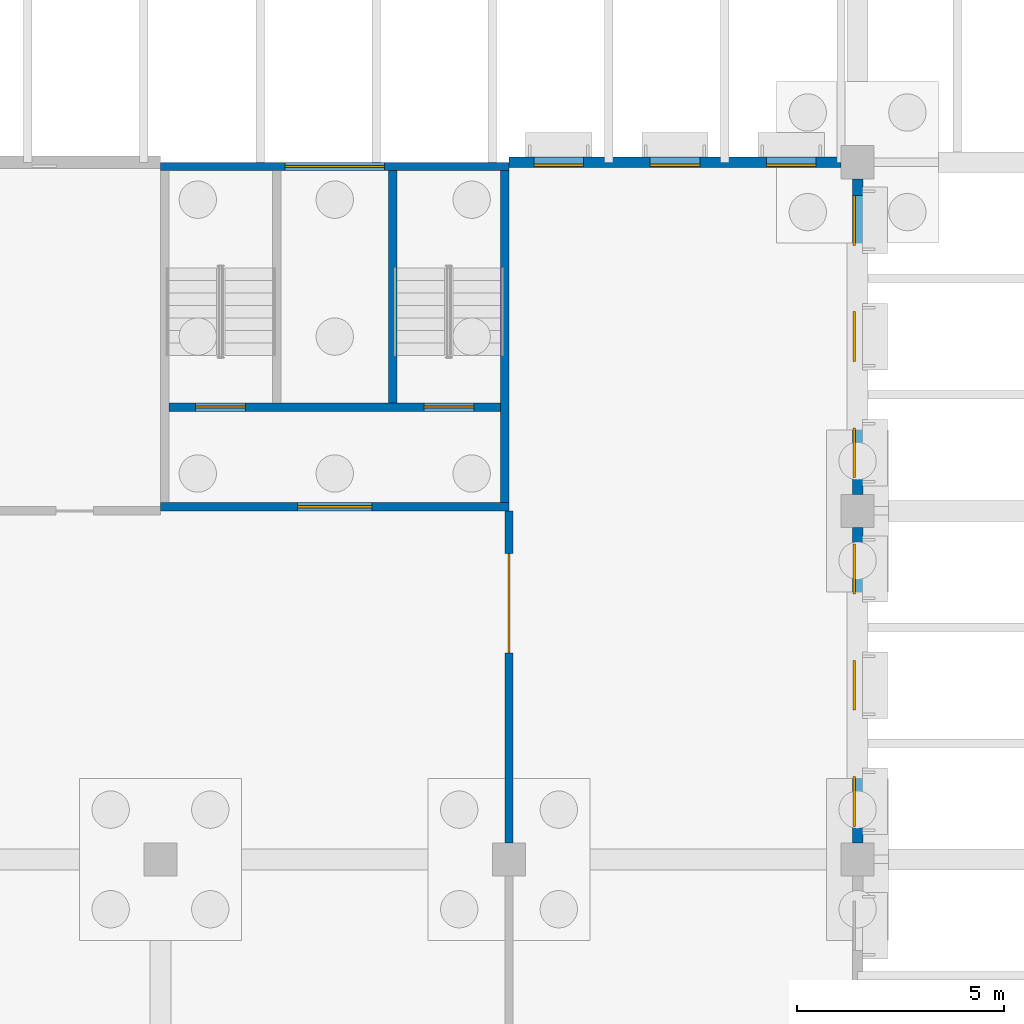
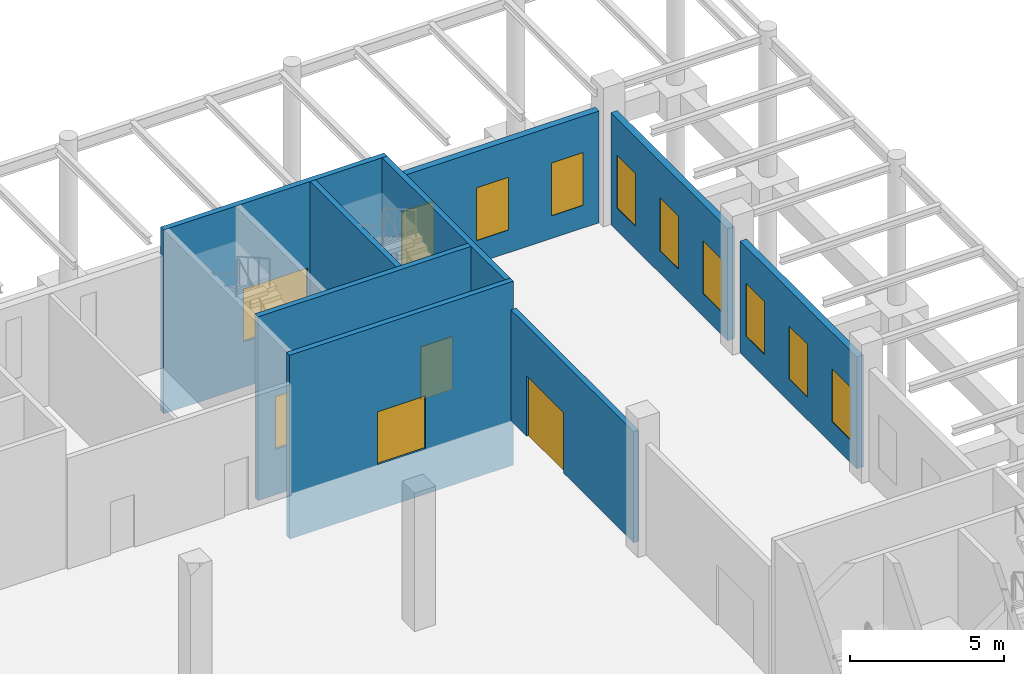
# One storey, part 43 of 82: 9 walls, 9 windows, 5 doors, 14 openings.
"""IFC4 building model written with IfcOpenShell, lengths in metres."""

from ifc_helpers import new_model, si_unit, direction, frame, frame_2d, origin, place, context, subcontext, project, spatial, rectangle, extrude, material, layer, layer_set, type_object, element, fill, save


model = new_model("IFC4")

# Units and contexts
model_context = context("Model", 3, precision=1e-05, world=origin(), true_north=direction((0.0, 1.0)))
body_context = subcontext(model_context, "Body", "Model", "MODEL_VIEW")
ifc_project = project(units=[si_unit("LENGTHUNIT", "METRE"), si_unit("AREAUNIT", "SQUARE_METRE"), si_unit("VOLUMEUNIT", "CUBIC_METRE"), si_unit("PLANEANGLEUNIT", "RADIAN"), si_unit("MASSUNIT", "GRAM", prefix="KILO")], contexts=[model_context])

# Site, building, storey
site_placement = place(None, origin())
site = spatial("IfcSite", under=ifc_project, at=site_placement, CompositionType="ELEMENT")
building_placement = place(site_placement, origin())
building = spatial("IfcBuilding", under=site, at=building_placement, Name="Almond Square Museum", CompositionType="ELEMENT")
storey_placement = place(building_placement, origin())
storey = spatial("IfcBuildingStorey", under=building, at=storey_placement, Name="L00", CompositionType="ELEMENT", Elevation=0.0)

# Wall, opening, door
ifc_material_1 = material(Name="Painted gypsum board on steel stud", Category="steel")
ifc_layer_1 = layer(ifc_material_1, 0.199951171875)
ifc_layer_set_1 = layer_set([ifc_layer_1], Name="Painted gypsum board on steel stud")
wall_type_1 = type_object("IfcWallType", Name="Gallery wall 200 painted board on stud", PredefinedType="PARTITIONING", material=ifc_layer_set_1)
wall_1_placement = place(storey_placement, frame((148.800048828125, 92.800048828125, 0.0), z_axis=(0.0, 0.0, 1.0), x_axis=(0.0, 1.0, 0.0)))
wall_1 = element("IfcWall", 1, at=wall_1_placement, inside=storey, type_object=wall_type_1, Name="L00 partition 26", PredefinedType="PARTITIONING", context=body_context, shape_type="SweptSolid", body=[
    extrude(rectangle(XDim=8.0, YDim=0.199951171875, at=frame_2d((4.0, 0.0))), origin(), (0.0, 0.0, 1.0), 4.39990234375),
])
opening_1_placement = place(wall_1_placement, frame((4.574951171875, 0.0, 0.0)))
opening_1 = element("IfcOpeningElement", 2, at=opening_1_placement, cuts=wall_1, Name="Opening D0146", PredefinedType="OPENING", context=body_context, shape_type="SweptSolid", body=[
    extrude(rectangle(XDim=2.39990234375, YDim=2.39990234375, at=frame_2d((1.199951171875, 1.199951171875))), frame((0.0, 0.10986328125, 0.0), z_axis=(0.0, -1.0, 0.0), x_axis=(1.0, 0.0, 0.0)), (0.0, 0.0, 1.0), 0.219970703125),
])
ifc_material_2 = material(Name="Timber", Category="wood")
door_type_1 = type_object("IfcDoorType", Name="Gallery door 2400 x 2400 timber double", OperationType="NOTDEFINED", PredefinedType="DOOR", material=ifc_material_2)
door_1_placement = place(opening_1_placement, origin())
door_1 = element("IfcDoor", 3, at=door_1_placement, inside=storey, type_object=door_type_1, Name="L00 door Print Gallery 1 to Orientation Gallery", OperationType="DOUBLE_DOOR_SINGLE_SWING", OverallHeight=2.39990234375, OverallWidth=2.39990234375, PredefinedType="DOOR", context=body_context, shape_type="SweptSolid", body=[
    extrude(rectangle(XDim=2.39990234375, YDim=2.39990234375, at=frame_2d((1.199951171875, 1.199951171875))), frame((0.0, 0.02490234375, 0.0), z_axis=(0.0, -1.0, 0.0), x_axis=(1.0, 0.0, 0.0)), (0.0, 0.0, 1.0), 0.050048828125),
])
fill(opening_1, door_1)

# Wall, openings, windows
ifc_material_3 = material(Name="Precast concrete C40/50", Category="concrete")
ifc_layer_2 = layer(ifc_material_3, 0.25)
ifc_layer_set_2 = layer_set([ifc_layer_2], Name="Precast concrete C40/50")
wall_type_2 = type_object("IfcWallType", Name="Precast concrete panel wall 250 with coral limestone piers", PredefinedType="SOLIDWALL", material=ifc_layer_set_2)
wall_2_placement = place(storey_placement, frame((157.199951171875, 92.800048828125, 0.0), z_axis=(0.0, 0.0, 1.0), x_axis=(0.0, 1.0, 0.0)))
wall_2 = element("IfcWall", 4, at=wall_2_placement, inside=storey, type_object=wall_type_2, Name="External wall W2 V4E L00 E05", PredefinedType="SOLIDWALL", context=body_context, shape_type="SweptSolid", body=[
    extrude(rectangle(XDim=7.599853515625, YDim=0.25, at=frame_2d((3.7998046875, 0.0))), origin(), (0.0, 0.0, 1.0), 4.43994140625),
])
opening_2_placement = place(wall_2_placement, frame((0.39990234375, 0.0, 0.89990234375)))
opening_2 = element("IfcOpeningElement", 5, at=opening_2_placement, cuts=wall_2, Name="Opening W0082", PredefinedType="OPENING", context=body_context, shape_type="SweptSolid", body=[
    extrude(rectangle(XDim=1.199951171875, YDim=2.10009765625, at=frame_2d((0.60009765625, 1.050048828125))), frame((0.0, 0.135009765625, 0.0), z_axis=(0.0, -1.0, 0.0), x_axis=(1.0, 0.0, 0.0)), (0.0, 0.0, 1.0), 0.27001953125),
])
opening_3_placement = place(wall_2_placement, frame((3.199951171875, 0.0, 0.89990234375)))
opening_3 = element("IfcOpeningElement", 6, at=opening_3_placement, cuts=wall_2, Name="Opening W0083", PredefinedType="OPENING", context=body_context, shape_type="SweptSolid", body=[
    extrude(rectangle(XDim=1.199951171875, YDim=2.10009765625, at=frame_2d((0.60009765625, 1.050048828125))), frame((0.0, 0.135009765625, 0.0), z_axis=(0.0, -1.0, 0.0), x_axis=(1.0, 0.0, 0.0)), (0.0, 0.0, 1.0), 0.27001953125),
])
opening_4_placement = place(wall_2_placement, frame((6.0, 0.0, 0.89990234375)))
opening_4 = element("IfcOpeningElement", 7, at=opening_4_placement, cuts=wall_2, Name="Opening W0084", PredefinedType="OPENING", context=body_context, shape_type="SweptSolid", body=[
    extrude(rectangle(XDim=1.199951171875, YDim=2.10009765625, at=frame_2d((0.60009765625, 1.050048828125))), frame((0.0, 0.135009765625, 0.0), z_axis=(0.0, -1.0, 0.0), x_axis=(1.0, 0.0, 0.0)), (0.0, 0.0, 1.0), 0.27001953125),
])
ifc_material_4 = material(Name="Anodised aluminium louvre and laminated glass", Category="aluminium")
window_type = type_object("IfcWindowType", Name="Louvred pier window", PartitioningType="SINGLE_PANEL", PredefinedType="WINDOW", material=ifc_material_4)
window_1_placement = place(opening_2_placement, origin())
window_1 = element("IfcWindow", 8, at=window_1_placement, inside=storey, type_object=window_type, Name="Louvred pier window W0082", OverallHeight=2.10009765625, OverallWidth=1.199951171875, PartitioningType="SINGLE_PANEL", PredefinedType="WINDOW", context=body_context, shape_type="SweptSolid", body=[
    extrude(rectangle(XDim=1.199951171875, YDim=2.10009765625, at=frame_2d((0.60009765625, 1.050048828125))), frame((0.0, 0.10498046875, 0.0), z_axis=(0.0, -1.0, 0.0), x_axis=(1.0, 0.0, 0.0)), (0.0, 0.0, 1.0), 0.06005859375),
])
fill(opening_2, window_1)
window_2_placement = place(opening_3_placement, origin())
window_2 = element("IfcWindow", 9, at=window_2_placement, inside=storey, type_object=window_type, Name="Louvred pier window W0083", OverallHeight=2.10009765625, OverallWidth=1.199951171875, PartitioningType="SINGLE_PANEL", PredefinedType="WINDOW", context=body_context, shape_type="SweptSolid", body=[
    extrude(rectangle(XDim=1.199951171875, YDim=2.10009765625, at=frame_2d((0.60009765625, 1.050048828125))), frame((0.0, 0.10498046875, 0.0), z_axis=(0.0, -1.0, 0.0), x_axis=(1.0, 0.0, 0.0)), (0.0, 0.0, 1.0), 0.06005859375),
])
fill(opening_3, window_2)
window_3_placement = place(opening_4_placement, origin())
window_3 = element("IfcWindow", 10, at=window_3_placement, inside=storey, type_object=window_type, Name="Louvred pier window W0084", OverallHeight=2.10009765625, OverallWidth=1.199951171875, PartitioningType="SINGLE_PANEL", PredefinedType="WINDOW", context=body_context, shape_type="SweptSolid", body=[
    extrude(rectangle(XDim=1.199951171875, YDim=2.10009765625, at=frame_2d((0.60009765625, 1.050048828125))), frame((0.0, 0.10498046875, 0.0), z_axis=(0.0, -1.0, 0.0), x_axis=(1.0, 0.0, 0.0)), (0.0, 0.0, 1.0), 0.06005859375),
])
fill(opening_4, window_3)

wall_3_placement = place(storey_placement, frame((157.199951171875, 101.199951171875, 0.0), z_axis=(0.0, 0.0, 1.0), x_axis=(0.0, 1.0, 0.0)))
wall_3 = element("IfcWall", 11, at=wall_3_placement, inside=storey, type_object=wall_type_2, Name="External wall W2 V4E L00 E06", PredefinedType="SOLIDWALL", context=body_context, shape_type="SweptSolid", body=[
    extrude(rectangle(XDim=7.60009765625, YDim=0.25, at=frame_2d((3.800048828125, 0.0))), origin(), (0.0, 0.0, 1.0), 4.43994140625),
])
opening_5_placement = place(wall_3_placement, frame((0.39990234375, 0.0, 0.89990234375)))
opening_5 = element("IfcOpeningElement", 12, at=opening_5_placement, cuts=wall_3, Name="Opening W0085", PredefinedType="OPENING", context=body_context, shape_type="SweptSolid", body=[
    extrude(rectangle(XDim=1.199951171875, YDim=2.10009765625, at=frame_2d((0.60009765625, 1.050048828125))), frame((0.0, 0.135009765625, 0.0), z_axis=(0.0, -1.0, 0.0), x_axis=(1.0, 0.0, 0.0)), (0.0, 0.0, 1.0), 0.27001953125),
])
opening_6_placement = place(wall_3_placement, frame((3.199951171875, 0.0, 0.89990234375)))
opening_6 = element("IfcOpeningElement", 13, at=opening_6_placement, cuts=wall_3, Name="Opening W0086", PredefinedType="OPENING", context=body_context, shape_type="SweptSolid", body=[
    extrude(rectangle(XDim=1.199951171875, YDim=2.10009765625, at=frame_2d((0.60009765625, 1.050048828125))), frame((0.0, 0.135009765625, 0.0), z_axis=(0.0, -1.0, 0.0), x_axis=(1.0, 0.0, 0.0)), (0.0, 0.0, 1.0), 0.27001953125),
])
opening_7_placement = place(wall_3_placement, frame((6.0, 0.0, 0.89990234375)))
opening_7 = element("IfcOpeningElement", 14, at=opening_7_placement, cuts=wall_3, Name="Opening W0087", PredefinedType="OPENING", context=body_context, shape_type="SweptSolid", body=[
    extrude(rectangle(XDim=1.199951171875, YDim=2.10009765625, at=frame_2d((0.60009765625, 1.050048828125))), frame((0.0, 0.135009765625, 0.0), z_axis=(0.0, -1.0, 0.0), x_axis=(1.0, 0.0, 0.0)), (0.0, 0.0, 1.0), 0.27001953125),
])
window_4_placement = place(opening_5_placement, origin())
window_4 = element("IfcWindow", 15, at=window_4_placement, inside=storey, type_object=window_type, Name="Louvred pier window W0085", OverallHeight=2.10009765625, OverallWidth=1.199951171875, PartitioningType="SINGLE_PANEL", PredefinedType="WINDOW", context=body_context, shape_type="SweptSolid", body=[
    extrude(rectangle(XDim=1.199951171875, YDim=2.10009765625, at=frame_2d((0.60009765625, 1.050048828125))), frame((0.0, 0.10498046875, 0.0), z_axis=(0.0, -1.0, 0.0), x_axis=(1.0, 0.0, 0.0)), (0.0, 0.0, 1.0), 0.06005859375),
])
fill(opening_5, window_4)
window_5_placement = place(opening_6_placement, origin())
window_5 = element("IfcWindow", 16, at=window_5_placement, inside=storey, type_object=window_type, Name="Louvred pier window W0086", OverallHeight=2.10009765625, OverallWidth=1.199951171875, PartitioningType="SINGLE_PANEL", PredefinedType="WINDOW", context=body_context, shape_type="SweptSolid", body=[
    extrude(rectangle(XDim=1.199951171875, YDim=2.10009765625, at=frame_2d((0.60009765625, 1.050048828125))), frame((0.0, 0.10498046875, 0.0), z_axis=(0.0, -1.0, 0.0), x_axis=(1.0, 0.0, 0.0)), (0.0, 0.0, 1.0), 0.06005859375),
])
fill(opening_6, window_5)
window_6_placement = place(opening_7_placement, origin())
window_6 = element("IfcWindow", 17, at=window_6_placement, inside=storey, type_object=window_type, Name="Louvred pier window W0087", OverallHeight=2.10009765625, OverallWidth=1.199951171875, PartitioningType="SINGLE_PANEL", PredefinedType="WINDOW", context=body_context, shape_type="SweptSolid", body=[
    extrude(rectangle(XDim=1.199951171875, YDim=2.10009765625, at=frame_2d((0.60009765625, 1.050048828125))), frame((0.0, 0.10498046875, 0.0), z_axis=(0.0, -1.0, 0.0), x_axis=(1.0, 0.0, 0.0)), (0.0, 0.0, 1.0), 0.06005859375),
])
fill(opening_7, window_6)

wall_4_placement = place(storey_placement, frame((148.800048828125, 109.199951171875, 0.0), z_axis=(0.0, 0.0, 1.0), x_axis=(1.0, 0.0, 0.0)))
wall_4 = element("IfcWall", 18, at=wall_4_placement, inside=storey, type_object=wall_type_2, Name="External wall W2 V4E L00 N01", PredefinedType="SOLIDWALL", context=body_context, shape_type="SweptSolid", body=[
    extrude(rectangle(XDim=8.0, YDim=0.25, at=frame_2d((4.0, 0.0))), origin(), (0.0, 0.0, 1.0), 4.43994140625),
])
opening_8_placement = place(wall_4_placement, frame((0.60009765625, 0.0, 0.89990234375)))
opening_8 = element("IfcOpeningElement", 19, at=opening_8_placement, cuts=wall_4, Name="Opening W0088", PredefinedType="OPENING", context=body_context, shape_type="SweptSolid", body=[
    extrude(rectangle(XDim=1.199951171875, YDim=2.10009765625, at=frame_2d((0.60009765625, 1.050048828125))), frame((0.0, 0.135009765625, 0.0), z_axis=(0.0, -1.0, 0.0), x_axis=(1.0, 0.0, 0.0)), (0.0, 0.0, 1.0), 0.27001953125),
])
opening_9_placement = place(wall_4_placement, frame((3.39990234375, 0.0, 0.89990234375)))
opening_9 = element("IfcOpeningElement", 20, at=opening_9_placement, cuts=wall_4, Name="Opening W0089", PredefinedType="OPENING", context=body_context, shape_type="SweptSolid", body=[
    extrude(rectangle(XDim=1.199951171875, YDim=2.10009765625, at=frame_2d((0.60009765625, 1.050048828125))), frame((0.0, 0.135009765625, 0.0), z_axis=(0.0, -1.0, 0.0), x_axis=(1.0, 0.0, 0.0)), (0.0, 0.0, 1.0), 0.27001953125),
])
opening_10_placement = place(wall_4_placement, frame((6.199951171875, 0.0, 0.89990234375)))
opening_10 = element("IfcOpeningElement", 21, at=opening_10_placement, cuts=wall_4, Name="Opening W0090", PredefinedType="OPENING", context=body_context, shape_type="SweptSolid", body=[
    extrude(rectangle(XDim=1.199951171875, YDim=2.10009765625, at=frame_2d((0.60009765625, 1.050048828125))), frame((0.0, 0.135009765625, 0.0), z_axis=(0.0, -1.0, 0.0), x_axis=(1.0, 0.0, 0.0)), (0.0, 0.0, 1.0), 0.27001953125),
])
window_7_placement = place(opening_8_placement, origin())
window_7 = element("IfcWindow", 22, at=window_7_placement, inside=storey, type_object=window_type, Name="Louvred pier window W0088", OverallHeight=2.10009765625, OverallWidth=1.199951171875, PartitioningType="SINGLE_PANEL", PredefinedType="WINDOW", context=body_context, shape_type="SweptSolid", body=[
    extrude(rectangle(XDim=1.199951171875, YDim=2.10009765625, at=frame_2d((0.60009765625, 1.050048828125))), frame((0.0, -0.044921875, 0.0), z_axis=(0.0, -1.0, 0.0), x_axis=(1.0, 0.0, 0.0)), (0.0, 0.0, 1.0), 0.06005859375),
])
fill(opening_8, window_7)
window_8_placement = place(opening_9_placement, origin())
window_8 = element("IfcWindow", 23, at=window_8_placement, inside=storey, type_object=window_type, Name="Louvred pier window W0089", OverallHeight=2.10009765625, OverallWidth=1.199951171875, PartitioningType="SINGLE_PANEL", PredefinedType="WINDOW", context=body_context, shape_type="SweptSolid", body=[
    extrude(rectangle(XDim=1.199951171875, YDim=2.10009765625, at=frame_2d((0.60009765625, 1.050048828125))), frame((0.0, -0.044921875, 0.0), z_axis=(0.0, -1.0, 0.0), x_axis=(1.0, 0.0, 0.0)), (0.0, 0.0, 1.0), 0.06005859375),
])
fill(opening_9, window_8)
window_9_placement = place(opening_10_placement, origin())
window_9 = element("IfcWindow", 24, at=window_9_placement, inside=storey, type_object=window_type, Name="Louvred pier window W0090", OverallHeight=2.10009765625, OverallWidth=1.199951171875, PartitioningType="SINGLE_PANEL", PredefinedType="WINDOW", context=body_context, shape_type="SweptSolid", body=[
    extrude(rectangle(XDim=1.199951171875, YDim=2.10009765625, at=frame_2d((0.60009765625, 1.050048828125))), frame((0.0, -0.044921875, 0.0), z_axis=(0.0, -1.0, 0.0), x_axis=(1.0, 0.0, 0.0)), (0.0, 0.0, 1.0), 0.06005859375),
])
fill(opening_10, window_9)

# Wall, opening, door
ifc_material_5 = material(Name="Concrete C40/50", Category="concrete")
ifc_layer_3 = layer(ifc_material_5, 0.199951171875)
ifc_layer_set_3 = layer_set([ifc_layer_3], Name="Concrete C40/50")
wall_type_3 = type_object("IfcWallType", Name="RC shear wall 200 C40/50", PredefinedType="SHEAR", material=ifc_layer_set_3)
wall_5_placement = place(storey_placement, frame((140.39990234375, 100.89990234375, -1.800048828125), z_axis=(0.0, 0.0, 1.0), x_axis=(1.0, 0.0, 0.0)))
wall_5 = element("IfcWall", 25, at=wall_5_placement, inside=storey, type_object=wall_type_3, Name="Core H3 south wall L00", PredefinedType="SHEAR", context=body_context, shape_type="SweptSolid", body=[
    extrude(rectangle(XDim=8.400146484375, YDim=0.199951171875, at=frame_2d((4.2001953125, 0.0))), origin(), (0.0, 0.0, 1.0), 7.300048828125),
])
opening_11_placement = place(wall_5_placement, frame((3.300048828125, 0.0, 1.800048828125)))
opening_11 = element("IfcOpeningElement", 26, at=opening_11_placement, cuts=wall_5, Name="Opening D0164", PredefinedType="OPENING", context=body_context, shape_type="SweptSolid", body=[
    extrude(rectangle(XDim=1.800048828125, YDim=2.10009765625, at=frame_2d((0.89990234375, 1.050048828125))), frame((0.0, 0.10986328125, 0.0), z_axis=(0.0, -1.0, 0.0), x_axis=(1.0, 0.0, 0.0)), (0.0, 0.0, 1.0), 0.219970703125),
])
ifc_material_6 = material(Name="Steel", Category="steel")
door_type_2 = type_object("IfcDoorType", Name="Fire door 1800 x 2100 FD60 double", OperationType="NOTDEFINED", PredefinedType="DOOR", material=ifc_material_6)
door_2_placement = place(opening_11_placement, origin())
door_2 = element("IfcDoor", 27, at=door_2_placement, inside=storey, type_object=door_type_2, Name="L00 stair core H3 lobby door", OperationType="DOUBLE_DOOR_SINGLE_SWING", OverallHeight=2.10009765625, OverallWidth=1.800048828125, PredefinedType="DOOR", context=body_context, shape_type="SweptSolid", body=[
    extrude(rectangle(XDim=1.800048828125, YDim=2.10009765625, at=frame_2d((0.89990234375, 1.050048828125))), frame((0.0, 0.02490234375, 0.0), z_axis=(0.0, -1.0, 0.0), x_axis=(1.0, 0.0, 0.0)), (0.0, 0.0, 1.0), 0.050048828125),
])
fill(opening_11, door_2)

wall_6_placement = place(storey_placement, frame((140.39990234375, 109.10009765625, -1.800048828125), z_axis=(0.0, 0.0, 1.0), x_axis=(1.0, 0.0, 0.0)))
wall_6 = element("IfcWall", 28, at=wall_6_placement, inside=storey, type_object=wall_type_3, Name="Core H3 north wall L00", PredefinedType="SHEAR", context=body_context, shape_type="SweptSolid", body=[
    extrude(rectangle(XDim=8.400146484375, YDim=0.199951171875, at=frame_2d((4.2001953125, 0.0))), origin(), (0.0, 0.0, 1.0), 7.300048828125),
])
opening_12_placement = place(wall_6_placement, frame((3.001220703125, 0.0, 1.800048828125)))
opening_12 = element("IfcOpeningElement", 29, at=opening_12_placement, cuts=wall_6, Name="Opening D020", PredefinedType="OPENING", context=body_context, shape_type="SweptSolid", body=[
    extrude(rectangle(XDim=2.39990234375, YDim=2.10009765625, at=frame_2d((1.199951171875, 1.050048828125))), frame((0.0, 0.10986328125, 0.0), z_axis=(0.0, -1.0, 0.0), x_axis=(1.0, 0.0, 0.0)), (0.0, 0.0, 1.0), 0.219970703125),
])
ifc_material_7 = material(Name="Steel frame and steel leaf", Category="steel")
door_type_3 = type_object("IfcDoorType", Name="Stair exit door pair 2400 x 2100", OperationType="NOTDEFINED", PredefinedType="DOOR", material=ifc_material_7)
door_3_placement = place(opening_12_placement, origin())
door_3 = element("IfcDoor", 30, at=door_3_placement, inside=storey, type_object=door_type_3, Name="Stair Exit H3 door D020", OperationType="DOUBLE_DOOR_SINGLE_SWING", OverallHeight=2.10009765625, OverallWidth=2.39990234375, PredefinedType="DOOR", context=body_context, shape_type="SweptSolid", body=[
    extrude(rectangle(XDim=2.39990234375, YDim=2.10009765625, at=frame_2d((1.199951171875, 1.050048828125))), frame((0.0, 0.02490234375, 0.0), z_axis=(0.0, -1.0, 0.0), x_axis=(1.0, 0.0, 0.0)), (0.0, 0.0, 1.0), 0.050048828125),
])
fill(opening_12, door_3)

# Wall
wall_7_placement = place(storey_placement, frame((148.699951171875, 101.0, -1.800048828125), z_axis=(0.0, 0.0, 1.0), x_axis=(0.0, 1.0, 0.0)))
element("IfcWall", 31, at=wall_7_placement, inside=storey, type_object=wall_type_3, Name="Core H3 east wall L00", PredefinedType="SHEAR", context=body_context, shape_type="SweptSolid", body=[
    extrude(rectangle(XDim=8.0, YDim=0.199951171875, at=frame_2d((4.0, 0.0))), origin(), (0.0, 0.0, 1.0), 7.300048828125),
])

# Wall, openings, doors
wall_8_placement = place(storey_placement, frame((140.60009765625, 103.300048828125, -1.800048828125), z_axis=(0.0, 0.0, 1.0), x_axis=(1.0, 0.0, 0.0)))
wall_8 = element("IfcWall", 32, at=wall_8_placement, inside=storey, type_object=wall_type_3, Name="Core H3 lobby wall L00", PredefinedType="SHEAR", context=body_context, shape_type="SweptSolid", body=[
    extrude(rectangle(XDim=8.0, YDim=0.199951171875, at=frame_2d((4.0, 0.0))), origin(), (0.0, 0.0, 1.0), 7.300048828125),
])
opening_13_placement = place(wall_8_placement, frame((0.64990234375, 0.0, 1.800048828125)))
opening_13 = element("IfcOpeningElement", 33, at=opening_13_placement, cuts=wall_8, Name="Opening D0165", PredefinedType="OPENING", context=body_context, shape_type="SweptSolid", body=[
    extrude(rectangle(XDim=1.199951171875, YDim=2.10009765625, at=frame_2d((0.60009765625, 1.050048828125))), frame((0.0, 0.10986328125, 0.0), z_axis=(0.0, -1.0, 0.0), x_axis=(1.0, 0.0, 0.0)), (0.0, 0.0, 1.0), 0.219970703125),
])
opening_14_placement = place(wall_8_placement, frame((6.14990234375, 0.0, 1.800048828125)))
opening_14 = element("IfcOpeningElement", 34, at=opening_14_placement, cuts=wall_8, Name="Opening D0166", PredefinedType="OPENING", context=body_context, shape_type="SweptSolid", body=[
    extrude(rectangle(XDim=1.199951171875, YDim=2.10009765625, at=frame_2d((0.60009765625, 1.050048828125))), frame((0.0, 0.10986328125, 0.0), z_axis=(0.0, -1.0, 0.0), x_axis=(1.0, 0.0, 0.0)), (0.0, 0.0, 1.0), 0.219970703125),
])
ifc_material_8 = material(Name="Steel", Category="steel")
door_type_4 = type_object("IfcDoorType", Name="Fire door 1200 x 2100 FD120 stair", OperationType="NOTDEFINED", PredefinedType="DOOR", material=ifc_material_8)
door_4_placement = place(opening_13_placement, origin())
door_4 = element("IfcDoor", 35, at=door_4_placement, inside=storey, type_object=door_type_4, Name="L00 stair H3-1 door", OperationType="SINGLE_SWING_LEFT", OverallHeight=2.10009765625, OverallWidth=1.199951171875, PredefinedType="DOOR", context=body_context, shape_type="SweptSolid", body=[
    extrude(rectangle(XDim=1.199951171875, YDim=2.10009765625, at=frame_2d((0.60009765625, 1.050048828125))), frame((0.0, 0.02490234375, 0.0), z_axis=(0.0, -1.0, 0.0), x_axis=(1.0, 0.0, 0.0)), (0.0, 0.0, 1.0), 0.050048828125),
])
fill(opening_13, door_4)
door_5_placement = place(opening_14_placement, origin())
door_5 = element("IfcDoor", 36, at=door_5_placement, inside=storey, type_object=door_type_4, Name="L00 stair H3-2 door", OperationType="SINGLE_SWING_RIGHT", OverallHeight=2.10009765625, OverallWidth=1.199951171875, PredefinedType="DOOR", context=body_context, shape_type="SweptSolid", body=[
    extrude(rectangle(XDim=1.199951171875, YDim=2.10009765625, at=frame_2d((0.60009765625, 1.050048828125))), frame((0.0, 0.02490234375, 0.0), z_axis=(0.0, -1.0, 0.0), x_axis=(1.0, 0.0, 0.0)), (0.0, 0.0, 1.0), 0.050048828125),
])
fill(opening_14, door_5)

# Wall
wall_9_placement = place(storey_placement, frame((146.0, 103.39990234375, -1.800048828125), z_axis=(0.0, 0.0, 1.0), x_axis=(0.0, 1.0, 0.0)))
element("IfcWall", 37, at=wall_9_placement, inside=storey, type_object=wall_type_3, Name="Core H3 partition wall L00", PredefinedType="SHEAR", context=body_context, shape_type="SweptSolid", body=[
    extrude(rectangle(XDim=5.60009765625, YDim=0.199951171875, at=frame_2d((2.800048828125, 0.0))), origin(), (0.0, 0.0, 1.0), 7.300048828125),
])

save(model, "model.ifc")
